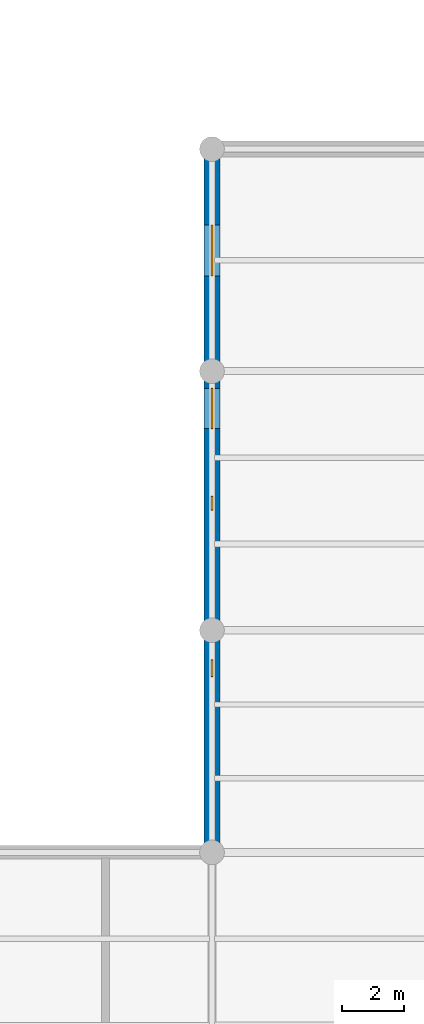
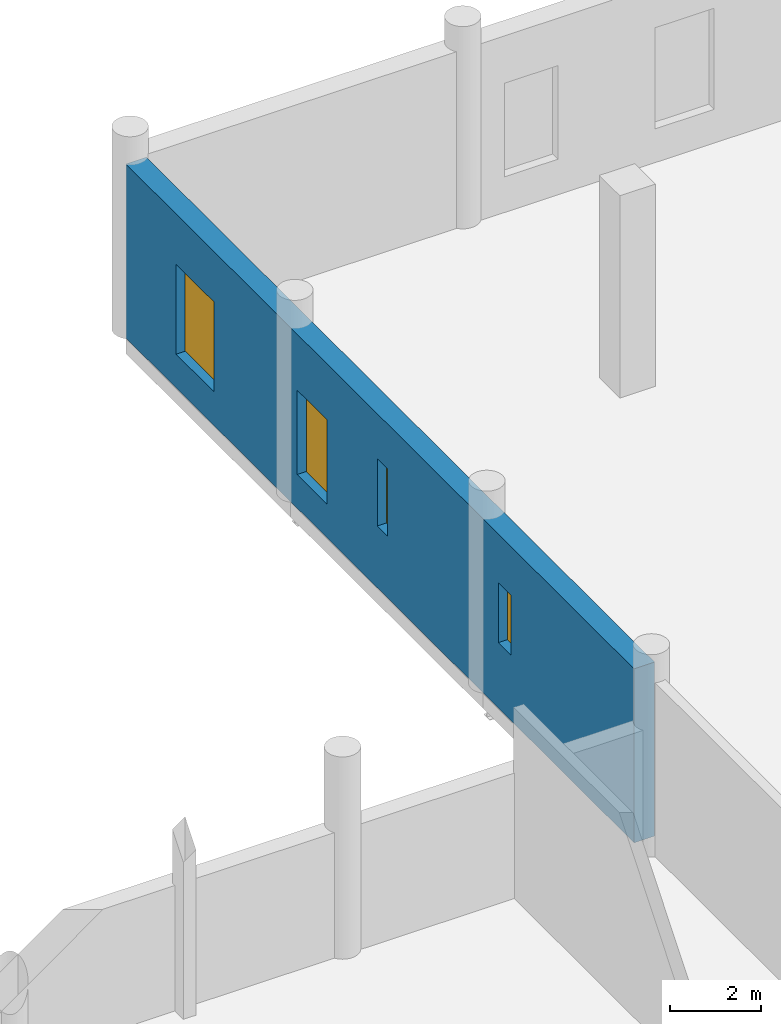
# One storey, part 109 of 128: 4 windows, 1 wall, 4 openings.
"""IFC4 building model written with IfcOpenShell, lengths in metres."""

from ifc_helpers import new_model, si_unit, direction, frame, frame_2d, origin_with_axes, place, context, subcontext, project, spatial, rectangle, extrude, material, layer, layer_set, type_object, element, fill, save


model = new_model("IFC4")

# Units and contexts
model_context = context("Model", 3, precision=1e-05, world=origin_with_axes(), true_north=direction((0.0, 1.0)))
body_context = subcontext(model_context, "Body", "Model", "MODEL_VIEW")
ifc_project = project(units=[si_unit("LENGTHUNIT", "METRE"), si_unit("AREAUNIT", "SQUARE_METRE"), si_unit("VOLUMEUNIT", "CUBIC_METRE"), si_unit("PLANEANGLEUNIT", "RADIAN"), si_unit("MASSUNIT", "GRAM", prefix="KILO"), si_unit("THERMODYNAMICTEMPERATUREUNIT", "KELVIN")], contexts=[model_context])

# Site, building, storey
site_placement = place(None, origin_with_axes())
site = spatial("IfcSite", under=ifc_project, at=site_placement, CompositionType="ELEMENT")
building_placement = place(site_placement, origin_with_axes())
building = spatial("IfcBuilding", under=site, at=building_placement, Name="Montbau Bow Law Courts", CompositionType="ELEMENT")
storey_placement = place(building_placement, frame((0.0, 0.0, 5.4), z_axis=(0.0, 0.0, 1.0), x_axis=(1.0, 0.0, 0.0)))
storey = spatial("IfcBuildingStorey", under=building, at=storey_placement, Name="L01", CompositionType="ELEMENT", Elevation=5.4)

# Wall, openings, windows
ifc_material_1 = material(Name="Canmore Rundlestone Plinth Masonry on Concrete Backing CSA A23.1 f'c 35 MPa", Category="masonry")
ifc_layer = layer(ifc_material_1, 0.52, Name="Solid Wall", Category="masonry")
ifc_layer_set = layer_set([ifc_layer], Name="Canmore Rundlestone Plinth Masonry on Concrete Backing CSA A23.1 f'c 35 MPa")
wall_type = type_object("IfcWallType", Name="W-EXT-02", PredefinedType="SOLIDWALL", material=ifc_layer_set)
wall_placement = place(None, frame((121.8, 61.54, 5.4), z_axis=(0.0, 0.0, 1.0), x_axis=(0.0, -1.0, 0.0)))
wall = element("IfcWall", 1, at=wall_placement, inside=storey, type_object=wall_type, Name="WE-L01-018:wal_0035", PredefinedType="SOLIDWALL", context=body_context, shape_type="SweptSolid", body=[
    extrude(rectangle(XDim=22.229999999999997, YDim=0.52, at=frame_2d((11.115, 0.0), x_axis=(1.0, 0.0))), origin_with_axes(), (0.0, 0.0, 1.0), 4.644),
])
opening_1_placement = place(None, frame((121.8, 58.515, 6.3), z_axis=(0.0, 0.0, 1.0), x_axis=(0.0, -1.0, 0.0)))
opening_1 = element("IfcOpeningElement", 2, at=opening_1_placement, cuts=wall, Name="OP-WN-L01-101", PredefinedType="OPENING", context=body_context, shape_type="SweptSolid", body=[
    extrude(rectangle(XDim=1.65, YDim=2.4, at=frame_2d((0.0, 1.2), x_axis=(1.0, 0.0))), frame((0.0, 0.27, 0.0), z_axis=(0.0, -1.0, 0.0), x_axis=(1.0, 0.0, 0.0)), (0.0, 0.0, 1.0), 0.54),
])
opening_2_placement = place(None, frame((121.8, 53.39, 6.3), z_axis=(0.0, 0.0, 1.0), x_axis=(0.0, -1.0, 0.0)))
opening_2 = element("IfcOpeningElement", 3, at=opening_2_placement, cuts=wall, Name="OP-WN-L01-102", PredefinedType="OPENING", context=body_context, shape_type="SweptSolid", body=[
    extrude(rectangle(XDim=1.3, YDim=2.25, at=frame_2d((0.0, 1.125), x_axis=(1.0, 0.0))), frame((0.0, 0.27, 0.0), z_axis=(0.0, -1.0, 0.0), x_axis=(1.0, 0.0, 0.0)), (0.0, 0.0, 1.0), 0.54),
])
opening_3_placement = place(None, frame((121.8, 50.315, 7.05), z_axis=(0.0, 0.0, 1.0), x_axis=(0.0, -1.0, 0.0)))
opening_3 = element("IfcOpeningElement", 4, at=opening_3_placement, cuts=wall, Name="OP-WN-L01-103", PredefinedType="OPENING", context=body_context, shape_type="SweptSolid", body=[
    extrude(rectangle(XDim=0.45, YDim=1.8, at=frame_2d((0.0, 0.9), x_axis=(1.0, 0.0))), frame((0.0, 0.27, 0.0), z_axis=(0.0, -1.0, 0.0), x_axis=(1.0, 0.0, 0.0)), (0.0, 0.0, 1.0), 0.54),
])
opening_4_placement = place(None, frame((121.8, 44.965, 7.15), z_axis=(0.0, 0.0, 1.0), x_axis=(0.0, -1.0, 0.0)))
opening_4 = element("IfcOpeningElement", 5, at=opening_4_placement, cuts=wall, Name="OP-WN-L01-104", PredefinedType="OPENING", context=body_context, shape_type="SweptSolid", body=[
    extrude(rectangle(XDim=0.55, YDim=1.6, at=frame_2d((0.0, 0.8), x_axis=(1.0, 0.0))), frame((0.0, 0.27, 0.0), z_axis=(0.0, -1.0, 0.0), x_axis=(1.0, 0.0, 0.0)), (0.0, 0.0, 1.0), 0.54),
])
ifc_material_2 = material(Name="Triple-Glazed Low-E Argon Insulating Glass Unit", Category="glass")
window_type_1 = type_object("IfcWindowType", Name="WN-APP-01", ParameterTakesPrecedence=False, PartitioningType="SINGLE_PANEL", PredefinedType="WINDOW", material=ifc_material_2)
window_1_placement = place(None, frame((121.8, 58.515, 6.3), z_axis=(0.0, 0.0, 1.0), x_axis=(0.0, -1.0, 0.0)))
window_1 = element("IfcWindow", 6, at=window_1_placement, inside=storey, type_object=window_type_1, Name="WN-L01-101:win_0101", OverallHeight=2.4, OverallWidth=1.65, PartitioningType="SINGLE_PANEL", PredefinedType="WINDOW", context=body_context, shape_type="SweptSolid", body=[
    extrude(rectangle(XDim=1.65, YDim=2.4, at=frame_2d((0.0, 1.2), x_axis=(1.0, 0.0))), frame((0.0, 0.03, 0.0), z_axis=(0.0, -1.0, 0.0), x_axis=(1.0, 0.0, 0.0)), (0.0, 0.0, 1.0), 0.06),
])
fill(opening_1, window_1)
window_type_2 = type_object("IfcWindowType", Name="WN-APP-02", ParameterTakesPrecedence=False, PartitioningType="SINGLE_PANEL", PredefinedType="WINDOW", material=ifc_material_2)
window_2_placement = place(None, frame((121.8, 53.39, 6.3), z_axis=(0.0, 0.0, 1.0), x_axis=(0.0, -1.0, 0.0)))
window_2 = element("IfcWindow", 7, at=window_2_placement, inside=storey, type_object=window_type_2, Name="WN-L01-102:win_0102", OverallHeight=2.25, OverallWidth=1.3, PartitioningType="SINGLE_PANEL", PredefinedType="WINDOW", context=body_context, shape_type="SweptSolid", body=[
    extrude(rectangle(XDim=1.3, YDim=2.25, at=frame_2d((0.0, 1.125), x_axis=(1.0, 0.0))), frame((0.0, 0.03, 0.0), z_axis=(0.0, -1.0, 0.0), x_axis=(1.0, 0.0, 0.0)), (0.0, 0.0, 1.0), 0.06),
])
fill(opening_2, window_2)
ifc_material_3 = material(Name="Laminated Ballistic-Resistant Triple Security Glazing", Category="glass")
window_type_3 = type_object("IfcWindowType", Name="WN-CUS-01", ParameterTakesPrecedence=False, PartitioningType="SINGLE_PANEL", PredefinedType="WINDOW", material=ifc_material_3)
window_3_placement = place(None, frame((121.8, 50.315, 7.05), z_axis=(0.0, 0.0, 1.0), x_axis=(0.0, -1.0, 0.0)))
window_3 = element("IfcWindow", 8, at=window_3_placement, inside=storey, type_object=window_type_3, Name="WN-L01-103:win_0103", OverallHeight=1.8, OverallWidth=0.45, PartitioningType="SINGLE_PANEL", PredefinedType="WINDOW", context=body_context, shape_type="SweptSolid", body=[
    extrude(rectangle(XDim=0.45, YDim=1.8, at=frame_2d((0.0, 0.9), x_axis=(1.0, 0.0))), frame((0.0, 0.03, 0.0), z_axis=(0.0, -1.0, 0.0), x_axis=(1.0, 0.0, 0.0)), (0.0, 0.0, 1.0), 0.06),
])
fill(opening_3, window_3)
window_type_4 = type_object("IfcWindowType", Name="WN-CUS-02", ParameterTakesPrecedence=False, PartitioningType="SINGLE_PANEL", PredefinedType="WINDOW", material=ifc_material_3)
window_4_placement = place(None, frame((121.8, 44.965, 7.15), z_axis=(0.0, 0.0, 1.0), x_axis=(0.0, -1.0, 0.0)))
window_4 = element("IfcWindow", 9, at=window_4_placement, inside=storey, type_object=window_type_4, Name="WN-L01-104:win_0104", OverallHeight=1.6, OverallWidth=0.55, PartitioningType="SINGLE_PANEL", PredefinedType="WINDOW", context=body_context, shape_type="SweptSolid", body=[
    extrude(rectangle(XDim=0.55, YDim=1.6, at=frame_2d((0.0, 0.8), x_axis=(1.0, 0.0))), frame((0.0, 0.03, 0.0), z_axis=(0.0, -1.0, 0.0), x_axis=(1.0, 0.0, 0.0)), (0.0, 0.0, 1.0), 0.06),
])
fill(opening_4, window_4)

save(model, "model.ifc")
